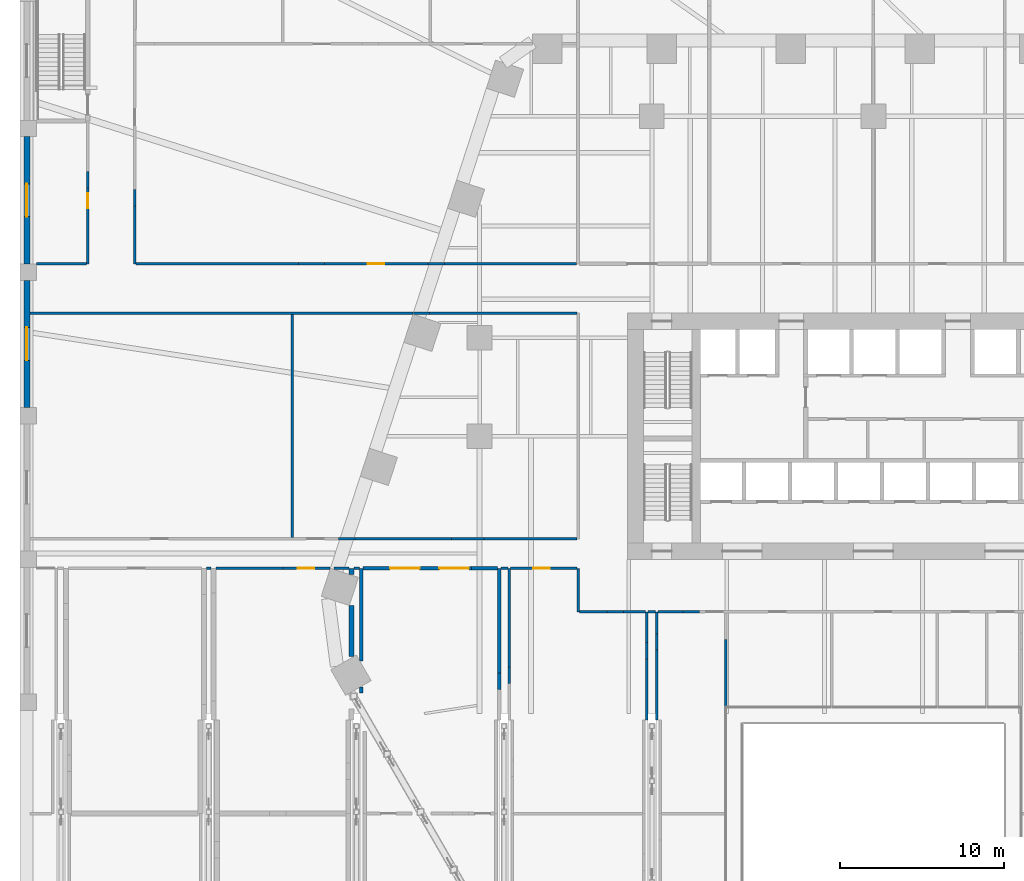
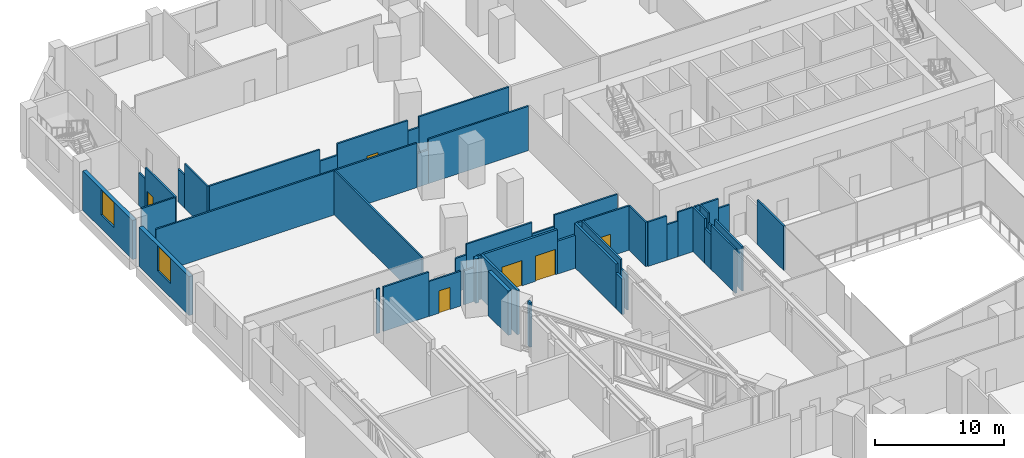
# One storey, part 16 of 32: 51 walls, 6 doors, 2 windows, 8 openings.
"""IFC4 building model written with IfcOpenShell, lengths in metres."""

from ifc_helpers import new_model, si_unit, direction, frame, frame_2d, origin, place, context, subcontext, project, spatial, rectangle, extrude, material, layer, layer_set, type_object, element, fill, save


model = new_model("IFC4")

# Units and contexts
model_context = context("Model", 3, precision=1e-05, world=origin(), true_north=direction((0.0, 1.0)))
body_context = subcontext(model_context, "Body", "Model", "MODEL_VIEW")
ifc_project = project(units=[si_unit("LENGTHUNIT", "METRE"), si_unit("AREAUNIT", "SQUARE_METRE"), si_unit("VOLUMEUNIT", "CUBIC_METRE"), si_unit("PLANEANGLEUNIT", "RADIAN"), si_unit("MASSUNIT", "GRAM", prefix="KILO")], contexts=[model_context])

# Site, building, storey
site_placement = place(None, origin())
site = spatial("IfcSite", under=ifc_project, at=site_placement, CompositionType="ELEMENT")
building_placement = place(site_placement, origin())
building = spatial("IfcBuilding", under=site, at=building_placement, Name="Isthmus Gate Tower", CompositionType="ELEMENT")
storey_placement = place(building_placement, frame((0.0, 0.0, 18.0)))
storey = spatial("IfcBuildingStorey", under=building, at=storey_placement, Name="L02", CompositionType="ELEMENT", Elevation=18.0)

# Walls
ifc_material_1 = material(Name="Double-leaf gypsum board with mineral wool, resilient mounted")
ifc_layer_1 = layer(ifc_material_1, 0.300048828125)
ifc_layer_set_1 = layer_set([ifc_layer_1], Name="Acoustic studio wall 300 double leaf")
wall_type_1 = type_object("IfcWallType", Name="Acoustic studio wall 300 double leaf", PredefinedType="PARTITIONING", material=ifc_layer_set_1)
wall_1_placement = place(storey_placement, frame((-31.800048828125, -5.915771484375, 0.0), z_axis=(0.0, 0.0, 1.0), x_axis=(0.0, 1.0, 0.0)))
element("IfcWall", 1, at=wall_1_placement, inside=storey, type_object=wall_type_1, Name="Acoustic studio wall", PredefinedType="PARTITIONING", context=body_context, shape_type="SweptSolid", body=[
    extrude(rectangle(XDim=3.0986328125, YDim=0.300048828125, at=frame_2d((1.54931640625, 0.0))), origin(), (0.0, 0.0, 1.0), 4.199951171875),
])
wall_2_placement = place(storey_placement, frame((-31.800048828125, -0.919189453125, 0.0), z_axis=(0.0, 0.0, 1.0), x_axis=(0.0, 1.0, 0.0)))
element("IfcWall", 2, at=wall_2_placement, inside=storey, type_object=wall_type_1, Name="Acoustic studio wall", PredefinedType="PARTITIONING", context=body_context, shape_type="SweptSolid", body=[
    extrude(rectangle(XDim=0.369384765625, YDim=0.300048828125, at=frame_2d((0.1845703125, 0.0))), origin(), (0.0, 0.0, 1.0), 4.199951171875),
])

# Wall, openings, doors
ifc_material_2 = material(Name="Concrete f'c 30 MPa", Category="concrete")
ifc_layer_2 = layer(ifc_material_2, 0.199951171875)
ifc_layer_set_2 = layer_set([ifc_layer_2], Name="Fire-rated block wall 200")
wall_type_2 = type_object("IfcWallType", Name="Fire-rated block wall 200", PredefinedType="PARTITIONING", material=ifc_layer_set_2)
wall_3_placement = place(storey_placement, frame((-31.10009765625, -0.549072265625, 0.0), z_axis=(0.0, 0.0, 1.0), x_axis=(1.0, 0.0, 0.0)))
wall_3 = element("IfcWall", 3, at=wall_3_placement, inside=storey, type_object=wall_type_2, Name="Fire-rated wall", PredefinedType="PARTITIONING", context=body_context, shape_type="SweptSolid", body=[
    extrude(rectangle(XDim=6.60009765625, YDim=0.199951171875, at=frame_2d((3.300048828125, 0.0))), origin(), (0.0, 0.0, 1.0), 4.199951171875),
])
opening_1_placement = place(wall_3_placement, frame((1.64990234375, 0.0, 0.0)))
opening_1 = element("IfcOpeningElement", 4, at=opening_1_placement, cuts=wall_3, Name="Opening DP02-15", PredefinedType="OPENING", context=body_context, shape_type="SweptSolid", body=[
    extrude(rectangle(XDim=1.800048828125, YDim=2.39990234375, at=frame_2d((0.89990234375, 1.199951171875))), frame((0.0, 0.10986328125, 0.0), z_axis=(0.0, -1.0, 0.0), x_axis=(1.0, 0.0, 0.0)), (0.0, 0.0, 1.0), 0.219970703125),
])
opening_2_placement = place(wall_3_placement, frame((4.64990234375, 0.0, 0.0)))
opening_2 = element("IfcOpeningElement", 5, at=opening_2_placement, cuts=wall_3, Name="Opening DP02-16", PredefinedType="OPENING", context=body_context, shape_type="SweptSolid", body=[
    extrude(rectangle(XDim=1.800048828125, YDim=2.39990234375, at=frame_2d((0.89990234375, 1.199951171875))), frame((0.0, 0.10986328125, 0.0), z_axis=(0.0, -1.0, 0.0), x_axis=(1.0, 0.0, 0.0)), (0.0, 0.0, 1.0), 0.219970703125),
])
ifc_material_3 = material(Name="Steel fire doors with intumescent seals", Category="steel")
door_type_1 = type_object("IfcDoorType", Name="Double fire door 1800 x 2400", OperationType="DOUBLE_DOOR_SINGLE_SWING", PredefinedType="DOOR", material=ifc_material_3)
door_1_placement = place(opening_1_placement, origin())
door_1 = element("IfcDoor", 6, at=door_1_placement, inside=storey, type_object=door_type_1, Name="Door DP02-15", OperationType="SINGLE_SWING_LEFT", OverallHeight=2.39990234375, OverallWidth=1.800048828125, PredefinedType="DOOR", context=body_context, shape_type="SweptSolid", body=[
    extrude(rectangle(XDim=1.800048828125, YDim=2.39990234375, at=frame_2d((0.89990234375, 1.199951171875))), frame((0.0, 0.02490234375, 0.0), z_axis=(0.0, -1.0, 0.0), x_axis=(1.0, 0.0, 0.0)), (0.0, 0.0, 1.0), 0.050048828125),
])
fill(opening_1, door_1)
door_2_placement = place(opening_2_placement, origin())
door_2 = element("IfcDoor", 7, at=door_2_placement, inside=storey, type_object=door_type_1, Name="Door DP02-16", OperationType="SINGLE_SWING_LEFT", OverallHeight=2.39990234375, OverallWidth=1.800048828125, PredefinedType="DOOR", context=body_context, shape_type="SweptSolid", body=[
    extrude(rectangle(XDim=1.800048828125, YDim=2.39990234375, at=frame_2d((0.89990234375, 1.199951171875))), frame((0.0, 0.02490234375, 0.0), z_axis=(0.0, -1.0, 0.0), x_axis=(1.0, 0.0, 0.0)), (0.0, 0.0, 1.0), 0.050048828125),
])
fill(opening_2, door_2)

# Walls
wall_4_placement = place(storey_placement, frame((-24.5, -0.549072265625, 0.0), z_axis=(0.0, 0.0, 1.0), x_axis=(1.0, 0.0, 0.0)))
element("IfcWall", 8, at=wall_4_placement, inside=storey, type_object=wall_type_2, Name="Fire-rated wall", PredefinedType="PARTITIONING", context=body_context, shape_type="SweptSolid", body=[
    extrude(rectangle(XDim=1.60009765625, YDim=0.199951171875, at=frame_2d((0.800048828125, 0.0))), origin(), (0.0, 0.0, 1.0), 3.111083984375),
])
wall_5_placement = place(storey_placement, frame((-31.199951171875, -8.159912109375, 0.0), z_axis=(0.0, 0.0, 1.0), x_axis=(0.0, 1.0, 0.0)))
element("IfcWall", 9, at=wall_5_placement, inside=storey, type_object=wall_type_2, Name="Fire-rated wall", PredefinedType="PARTITIONING", context=body_context, shape_type="SweptSolid", body=[
    extrude(rectangle(XDim=0.367919921875, YDim=0.199951171875, at=frame_2d((0.18408203125, 0.0))), origin(), (0.0, 0.0, 1.0), 4.199951171875),
])
wall_6_placement = place(storey_placement, frame((-31.199951171875, -6.186767578125, 0.0), z_axis=(0.0, 0.0, 1.0), x_axis=(0.0, 1.0, 0.0)))
element("IfcWall", 10, at=wall_6_placement, inside=storey, type_object=wall_type_2, Name="Fire-rated wall", PredefinedType="PARTITIONING", context=body_context, shape_type="SweptSolid", body=[
    extrude(rectangle(XDim=5.636962890625, YDim=0.199951171875, at=frame_2d((2.818359375, 0.0))), origin(), (0.0, 0.0, 1.0), 4.199951171875),
])
wall_7_placement = place(storey_placement, frame((-22.800048828125, -7.92529296875, 0.0), z_axis=(0.0, 0.0, 1.0), x_axis=(0.0, 1.0, 0.0)))
element("IfcWall", 11, at=wall_7_placement, inside=storey, type_object=wall_type_2, Name="Fire-rated wall", PredefinedType="PARTITIONING", context=body_context, shape_type="SweptSolid", body=[
    extrude(rectangle(XDim=1.0, YDim=0.199951171875, at=frame_2d((0.5, 0.0))), origin(), (0.0, 0.0, 1.0), 3.364990234375),
])
wall_8_placement = place(storey_placement, frame((-22.800048828125, -6.92529296875, 0.0), z_axis=(0.0, 0.0, 1.0), x_axis=(0.0, 1.0, 0.0)))
element("IfcWall", 12, at=wall_8_placement, inside=storey, type_object=wall_type_2, Name="Fire-rated wall", PredefinedType="PARTITIONING", context=body_context, shape_type="SweptSolid", body=[
    extrude(rectangle(XDim=6.37548828125, YDim=0.199951171875, at=frame_2d((3.187744140625, 0.0))), origin(), (0.0, 0.0, 1.0), 4.199951171875),
])

# Wall, opening, door
ifc_material_4 = material(Name="Fire-rated gypsum board on steel studs", Category="steel")
ifc_layer_3 = layer(ifc_material_4, 0.14990234375)
ifc_layer_set_3 = layer_set([ifc_layer_3], Name="Fire-rated partition 150 EI 60")
wall_type_3 = type_object("IfcWallType", Name="Fire-rated partition 150 EI 60", PredefinedType="PARTITIONING", material=ifc_layer_set_3)
wall_9_placement = place(storey_placement, frame((-47.875, 18.0, 0.0), z_axis=(0.0, 0.0, 1.0), x_axis=(0.0, 1.0, 0.0)))
wall_9 = element("IfcWall", 13, at=wall_9_placement, inside=storey, type_object=wall_type_3, Name="Fire-rated partition", PredefinedType="PARTITIONING", context=body_context, shape_type="SweptSolid", body=[
    extrude(rectangle(XDim=4.6162109375, YDim=0.14990234375, at=frame_2d((2.30810546875, 0.0))), origin(), (0.0, 0.0, 1.0), 4.199951171875),
])
opening_3_placement = place(wall_9_placement, frame((3.39990234375, 0.0, 0.0)))
opening_3 = element("IfcOpeningElement", 14, at=opening_3_placement, cuts=wall_9, Name="Opening DP02-02", PredefinedType="OPENING", context=body_context, shape_type="SweptSolid", body=[
    extrude(rectangle(XDim=0.89990234375, YDim=2.10009765625, at=frame_2d((0.449951171875, 1.050048828125))), frame((0.0, 0.0849609375, 0.0), z_axis=(0.0, -1.0, 0.0), x_axis=(1.0, 0.0, 0.0)), (0.0, 0.0, 1.0), 0.169921875),
])
ifc_material_5 = material(Name="Steel fire door with intumescent seals", Category="steel")
door_type_2 = type_object("IfcDoorType", Name="Fire door 900 x 2100", OperationType="SINGLE_SWING_LEFT", PredefinedType="DOOR", material=ifc_material_5)
door_3_placement = place(opening_3_placement, origin())
door_3 = element("IfcDoor", 15, at=door_3_placement, inside=storey, type_object=door_type_2, Name="Door DP02-02", OperationType="SINGLE_SWING_LEFT", OverallHeight=2.10009765625, OverallWidth=0.89990234375, PredefinedType="DOOR", context=body_context, shape_type="SweptSolid", body=[
    extrude(rectangle(XDim=0.89990234375, YDim=2.10009765625, at=frame_2d((0.449951171875, 1.050048828125))), frame((0.0, 0.02490234375, 0.0), z_axis=(0.0, -1.0, 0.0), x_axis=(1.0, 0.0, 0.0)), (0.0, 0.0, 1.0), 0.050048828125),
])
fill(opening_3, door_3)

# Walls
wall_10_placement = place(storey_placement, frame((-47.875, 22.6162109375, 0.0), z_axis=(0.0, 0.0, 1.0), x_axis=(0.0, 1.0, 0.0)))
element("IfcWall", 16, at=wall_10_placement, inside=storey, type_object=wall_type_3, Name="Fire-rated partition", PredefinedType="PARTITIONING", context=body_context, shape_type="SweptSolid", body=[
    extrude(rectangle(XDim=1.0, YDim=0.14990234375, at=frame_2d((0.5, 0.0))), origin(), (0.0, 0.0, 1.0), 3.111083984375),
])
wall_11_placement = place(storey_placement, frame((-45.0, 18.0, 0.0), z_axis=(0.0, 0.0, 1.0), x_axis=(0.0, 1.0, 0.0)))
element("IfcWall", 17, at=wall_11_placement, inside=storey, type_object=wall_type_3, Name="Fire-rated partition", PredefinedType="PARTITIONING", context=body_context, shape_type="SweptSolid", body=[
    extrude(rectangle(XDim=3.537353515625, YDim=0.14990234375, at=frame_2d((1.7685546875, 0.0))), origin(), (0.0, 0.0, 1.0), 4.199951171875),
])
wall_12_placement = place(storey_placement, frame((-45.0, 21.537353515625, 0.0), z_axis=(0.0, 0.0, 1.0), x_axis=(0.0, 1.0, 0.0)))
element("IfcWall", 18, at=wall_12_placement, inside=storey, type_object=wall_type_3, Name="Fire-rated partition", PredefinedType="PARTITIONING", context=body_context, shape_type="SweptSolid", body=[
    extrude(rectangle(XDim=1.0, YDim=0.14990234375, at=frame_2d((0.5, 0.0))), origin(), (0.0, 0.0, 1.0), 3.111083984375),
])

# Wall, opening, window
ifc_material_6 = material(Name="Precast concrete C40/50, limestone-faced", Category="masonry")
ifc_layer_4 = layer(ifc_material_6, 0.35009765625)
ifc_layer_set_4 = layer_set([ifc_layer_4], Name="PODIUM CLADDING WALL 350")
wall_type_4 = type_object("IfcWallType", Name="PODIUM CLADDING WALL 350", PredefinedType="SOLIDWALL", material=ifc_layer_set_4)
wall_13_placement = place(storey_placement, frame((-51.574951171875, 25.75, -0.39990234375), z_axis=(0.0, 0.0, 1.0), x_axis=(0.0, -1.0, 0.0)))
wall_13 = element("IfcWall", 19, at=wall_13_placement, inside=storey, type_object=wall_type_4, Name="PODIUM WALL", PredefinedType="SOLIDWALL", context=body_context, shape_type="SweptSolid", body=[
    extrude(rectangle(XDim=7.75, YDim=0.35009765625, at=frame_2d((3.875, 0.0))), origin(), (0.0, 0.0, 1.0), 3.699951171875),
])
opening_4_placement = place(wall_13_placement, frame((2.875, 0.0, 1.300048828125)))
opening_4 = element("IfcOpeningElement", 20, at=opening_4_placement, cuts=wall_13, Name="Opening W028", PredefinedType="OPENING", context=body_context, shape_type="SweptSolid", body=[
    extrude(rectangle(XDim=2.0, YDim=2.35009765625, at=frame_2d((1.0, 1.175048828125))), frame((0.0, 0.18505859375, 0.0), z_axis=(0.0, -1.0, 0.0), x_axis=(1.0, 0.0, 0.0)), (0.0, 0.0, 1.0), 0.3701171875),
])
ifc_material_7 = material(Name="Aluminium, pale champagne anodised, laminated glass", Category="aluminium")
window_type = type_object("IfcWindowType", Name="PODIUM SLOT WINDOW 2000 X 2350", PartitioningType="SINGLE_PANEL", PredefinedType="WINDOW", material=ifc_material_7)
window_1_placement = place(opening_4_placement, origin())
window_1 = element("IfcWindow", 21, at=window_1_placement, inside=storey, type_object=window_type, Name="SLOT WINDOW", OverallHeight=2.35009765625, OverallWidth=2.0, PartitioningType="SINGLE_PANEL", PredefinedType="WINDOW", context=body_context, shape_type="SweptSolid", body=[
    extrude(rectangle(XDim=2.0, YDim=2.35009765625, at=frame_2d((1.0, 1.175048828125))), frame((0.0, 0.030029296875, 0.0), z_axis=(0.0, -1.0, 0.0), x_axis=(1.0, 0.0, 0.0)), (0.0, 0.0, 1.0), 0.06005859375),
])
fill(opening_4, window_1)

wall_14_placement = place(storey_placement, frame((-51.574951171875, 17.0, -0.39990234375), z_axis=(0.0, 0.0, 1.0), x_axis=(0.0, -1.0, 0.0)))
wall_14 = element("IfcWall", 22, at=wall_14_placement, inside=storey, type_object=wall_type_4, Name="PODIUM WALL", PredefinedType="SOLIDWALL", context=body_context, shape_type="SweptSolid", body=[
    extrude(rectangle(XDim=7.75, YDim=0.35009765625, at=frame_2d((3.875, 0.0))), origin(), (0.0, 0.0, 1.0), 3.699951171875),
])
opening_5_placement = place(wall_14_placement, frame((2.875, 0.0, 1.300048828125)))
opening_5 = element("IfcOpeningElement", 23, at=opening_5_placement, cuts=wall_14, Name="Opening W029", PredefinedType="OPENING", context=body_context, shape_type="SweptSolid", body=[
    extrude(rectangle(XDim=2.0, YDim=2.35009765625, at=frame_2d((1.0, 1.175048828125))), frame((0.0, 0.18505859375, 0.0), z_axis=(0.0, -1.0, 0.0), x_axis=(1.0, 0.0, 0.0)), (0.0, 0.0, 1.0), 0.3701171875),
])
window_2_placement = place(opening_5_placement, origin())
window_2 = element("IfcWindow", 24, at=window_2_placement, inside=storey, type_object=window_type, Name="SLOT WINDOW", OverallHeight=2.35009765625, OverallWidth=2.0, PartitioningType="SINGLE_PANEL", PredefinedType="WINDOW", context=body_context, shape_type="SweptSolid", body=[
    extrude(rectangle(XDim=2.0, YDim=2.35009765625, at=frame_2d((1.0, 1.175048828125))), frame((0.0, 0.030029296875, 0.0), z_axis=(0.0, -1.0, 0.0), x_axis=(1.0, 0.0, 0.0)), (0.0, 0.0, 1.0), 0.06005859375),
])
fill(opening_5, window_2)

# Walls
ifc_material_8 = material(Name="Gypsum board on cold-formed steel studs", Category="steel")
ifc_layer_5 = layer(ifc_material_8, 0.14990234375)
ifc_layer_set_5 = layer_set([ifc_layer_5])
wall_type_5 = type_object("IfcWallType", Name="Partition 150 gypsum board on steel studs", PredefinedType="PARTITIONING", material=ifc_layer_set_5)
wall_15_placement = place(storey_placement, frame((-17.925048828125, -3.199951171875, 0.0), z_axis=(0.0, 0.0, 1.0), x_axis=(1.0, 0.0, 0.0)))
element("IfcWall", 25, at=wall_15_placement, inside=storey, type_object=wall_type_5, Name="Partition", PredefinedType="PARTITIONING", context=body_context, shape_type="SweptSolid", body=[
    extrude(rectangle(XDim=1.697265625, YDim=0.14990234375, at=frame_2d((0.8486328125, 0.0))), origin(), (0.0, 0.0, 1.0), 4.199951171875),
])
wall_16_placement = place(storey_placement, frame((-16.227783203125, -3.199951171875, 0.0), z_axis=(0.0, 0.0, 1.0), x_axis=(1.0, 0.0, 0.0)))
element("IfcWall", 26, at=wall_16_placement, inside=storey, type_object=wall_type_5, Name="Partition", PredefinedType="PARTITIONING", context=body_context, shape_type="SweptSolid", body=[
    extrude(rectangle(XDim=1.0, YDim=0.14990234375, at=frame_2d((0.5, 0.0))), origin(), (0.0, 0.0, 1.0), 3.364990234375),
])
wall_17_placement = place(storey_placement, frame((-15.227783203125, -3.199951171875, 0.0), z_axis=(0.0, 0.0, 1.0), x_axis=(1.0, 0.0, 0.0)))
element("IfcWall", 27, at=wall_17_placement, inside=storey, type_object=wall_type_5, Name="Partition", PredefinedType="PARTITIONING", context=body_context, shape_type="SweptSolid", body=[
    extrude(rectangle(XDim=1.352783203125, YDim=0.14990234375, at=frame_2d((0.67626953125, 0.0))), origin(), (0.0, 0.0, 1.0), 4.199951171875),
])
wall_18_placement = place(storey_placement, frame((-13.72509765625, -3.199951171875, 0.0), z_axis=(0.0, 0.0, 1.0), x_axis=(1.0, 0.0, 0.0)))
element("IfcWall", 28, at=wall_18_placement, inside=storey, type_object=wall_type_5, Name="Partition", PredefinedType="PARTITIONING", context=body_context, shape_type="SweptSolid", body=[
    extrude(rectangle(XDim=0.4501953125, YDim=0.14990234375, at=frame_2d((0.22509765625, 0.0))), origin(), (0.0, 0.0, 1.0), 4.199951171875),
])
wall_19_placement = place(storey_placement, frame((-13.125, -3.199951171875, 0.0), z_axis=(0.0, 0.0, 1.0), x_axis=(1.0, 0.0, 0.0)))
element("IfcWall", 29, at=wall_19_placement, inside=storey, type_object=wall_type_5, Name="Partition", PredefinedType="PARTITIONING", context=body_context, shape_type="SweptSolid", body=[
    extrude(rectangle(XDim=1.528564453125, YDim=0.14990234375, at=frame_2d((0.76416015625, 0.0))), origin(), (0.0, 0.0, 1.0), 4.199951171875),
])
wall_20_placement = place(storey_placement, frame((-11.596435546875, -3.199951171875, 0.0), z_axis=(0.0, 0.0, 1.0), x_axis=(1.0, 0.0, 0.0)))
element("IfcWall", 30, at=wall_20_placement, inside=storey, type_object=wall_type_5, Name="Partition", PredefinedType="PARTITIONING", context=body_context, shape_type="SweptSolid", body=[
    extrude(rectangle(XDim=1.0, YDim=0.14990234375, at=frame_2d((0.5, 0.0))), origin(), (0.0, 0.0, 1.0), 3.29833984375),
])
wall_21_placement = place(storey_placement, frame((-40.64990234375, -0.549072265625, 0.0), z_axis=(0.0, 0.0, 1.0), x_axis=(1.0, 0.0, 0.0)))
element("IfcWall", 31, at=wall_21_placement, inside=storey, type_object=wall_type_5, Name="Partition", PredefinedType="PARTITIONING", context=body_context, shape_type="SweptSolid", body=[
    extrude(rectangle(XDim=0.2998046875, YDim=0.14990234375, at=frame_2d((0.14990234375, 0.0))), origin(), (0.0, 0.0, 1.0), 4.199951171875),
])
wall_22_placement = place(storey_placement, frame((-40.050048828125, -0.549072265625, 0.0), z_axis=(0.0, 0.0, 1.0), x_axis=(1.0, 0.0, 0.0)))
element("IfcWall", 32, at=wall_22_placement, inside=storey, type_object=wall_type_5, Name="Partition", PredefinedType="PARTITIONING", context=body_context, shape_type="SweptSolid", body=[
    extrude(rectangle(XDim=4.07373046875, YDim=0.14990234375, at=frame_2d((2.036865234375, 0.0))), origin(), (0.0, 0.0, 1.0), 4.199951171875),
])

# Wall, opening, door
wall_23_placement = place(storey_placement, frame((-35.976318359375, -0.549072265625, 0.0), z_axis=(0.0, 0.0, 1.0), x_axis=(1.0, 0.0, 0.0)))
wall_23 = element("IfcWall", 33, at=wall_23_placement, inside=storey, type_object=wall_type_5, Name="Partition", PredefinedType="PARTITIONING", context=body_context, shape_type="SweptSolid", body=[
    extrude(rectangle(XDim=2.862060546875, YDim=0.14990234375, at=frame_2d((1.43115234375, 0.0))), origin(), (0.0, 0.0, 1.0), 3.29833984375),
])
opening_6_placement = place(wall_23_placement, frame((0.89990234375, 0.0, 0.0)))
opening_6 = element("IfcOpeningElement", 34, at=opening_6_placement, cuts=wall_23, Name="Opening DP02-14", PredefinedType="OPENING", context=body_context, shape_type="SweptSolid", body=[
    extrude(rectangle(XDim=1.0, YDim=2.10009765625, at=frame_2d((0.5, 1.050048828125))), frame((0.0, 0.0849609375, 0.0), z_axis=(0.0, -1.0, 0.0), x_axis=(1.0, 0.0, 0.0)), (0.0, 0.0, 1.0), 0.169921875),
])
ifc_material_9 = material(Name="Hollow metal frame with solid-core timber leaf", Category="wood")
door_type_3 = type_object("IfcDoorType", Name="Single swing door 1000 x 2100", OperationType="SINGLE_SWING_LEFT", PredefinedType="DOOR", material=ifc_material_9)
door_4_placement = place(opening_6_placement, origin())
door_4 = element("IfcDoor", 35, at=door_4_placement, inside=storey, type_object=door_type_3, Name="Door DP02-14", OperationType="SINGLE_SWING_LEFT", OverallHeight=2.10009765625, OverallWidth=1.0, PredefinedType="DOOR", context=body_context, shape_type="SweptSolid", body=[
    extrude(rectangle(XDim=1.0, YDim=2.10009765625, at=frame_2d((0.5, 1.050048828125))), frame((0.0, 0.02490234375, 0.0), z_axis=(0.0, -1.0, 0.0), x_axis=(1.0, 0.0, 0.0)), (0.0, 0.0, 1.0), 0.050048828125),
])
fill(opening_6, door_4)

# Walls
wall_24_placement = place(storey_placement, frame((-32.85888671875, -0.549072265625, 0.0), z_axis=(0.0, 0.0, 1.0), x_axis=(1.0, 0.0, 0.0)))
element("IfcWall", 36, at=wall_24_placement, inside=storey, type_object=wall_type_5, Name="Partition", PredefinedType="PARTITIONING", context=body_context, shape_type="SweptSolid", body=[
    extrude(rectangle(XDim=0.908935546875, YDim=0.14990234375, at=frame_2d((0.45458984375, 0.0))), origin(), (0.0, 0.0, 1.0), 3.199951171875),
])
wall_25_placement = place(storey_placement, frame((-31.64990234375, -0.549072265625, 0.0), z_axis=(0.0, 0.0, 1.0), x_axis=(1.0, 0.0, 0.0)))
element("IfcWall", 37, at=wall_25_placement, inside=storey, type_object=wall_type_5, Name="Partition", PredefinedType="PARTITIONING", context=body_context, shape_type="SweptSolid", body=[
    extrude(rectangle(XDim=0.349853515625, YDim=0.14990234375, at=frame_2d((0.1748046875, 0.0))), origin(), (0.0, 0.0, 1.0), 4.199951171875),
])
wall_26_placement = place(storey_placement, frame((-22.699951171875, -0.549072265625, 0.0), z_axis=(0.0, 0.0, 1.0), x_axis=(1.0, 0.0, 0.0)))
element("IfcWall", 38, at=wall_26_placement, inside=storey, type_object=wall_type_5, Name="Partition", PredefinedType="PARTITIONING", context=body_context, shape_type="SweptSolid", body=[
    extrude(rectangle(XDim=0.425048828125, YDim=0.14990234375, at=frame_2d((0.21240234375, 0.0))), origin(), (0.0, 0.0, 1.0), 4.199951171875),
])

# Wall, opening, door
wall_27_placement = place(storey_placement, frame((-22.125, -0.549072265625, 0.0), z_axis=(0.0, 0.0, 1.0), x_axis=(1.0, 0.0, 0.0)))
wall_27 = element("IfcWall", 39, at=wall_27_placement, inside=storey, type_object=wall_type_5, Name="Partition", PredefinedType="PARTITIONING", context=body_context, shape_type="SweptSolid", body=[
    extrude(rectangle(XDim=4.050048828125, YDim=0.14990234375, at=frame_2d((2.02490234375, 0.0))), origin(), (0.0, 0.0, 1.0), 4.199951171875),
])
opening_7_placement = place(wall_27_placement, frame((1.39990234375, 0.0, 0.0)))
opening_7 = element("IfcOpeningElement", 40, at=opening_7_placement, cuts=wall_27, Name="Opening DP02-17", PredefinedType="OPENING", context=body_context, shape_type="SweptSolid", body=[
    extrude(rectangle(XDim=1.0, YDim=2.10009765625, at=frame_2d((0.5, 1.050048828125))), frame((0.0, 0.0849609375, 0.0), z_axis=(0.0, -1.0, 0.0), x_axis=(1.0, 0.0, 0.0)), (0.0, 0.0, 1.0), 0.169921875),
])
door_5_placement = place(opening_7_placement, origin())
door_5 = element("IfcDoor", 41, at=door_5_placement, inside=storey, type_object=door_type_3, Name="Door DP02-17", OperationType="SINGLE_SWING_LEFT", OverallHeight=2.10009765625, OverallWidth=1.0, PredefinedType="DOOR", context=body_context, shape_type="SweptSolid", body=[
    extrude(rectangle(XDim=1.0, YDim=2.10009765625, at=frame_2d((0.5, 1.050048828125))), frame((0.0, 0.02490234375, 0.0), z_axis=(0.0, -1.0, 0.0), x_axis=(1.0, 0.0, 0.0)), (0.0, 0.0, 1.0), 0.050048828125),
])
fill(opening_7, door_5)

# Walls
wall_28_placement = place(storey_placement, frame((-32.58447265625, 1.2509765625, 0.0), z_axis=(0.0, 0.0, 1.0), x_axis=(1.0, 0.0, 0.0)))
element("IfcWall", 42, at=wall_28_placement, inside=storey, type_object=wall_type_5, Name="Partition", PredefinedType="PARTITIONING", context=body_context, shape_type="SweptSolid", body=[
    extrude(rectangle(XDim=1.0, YDim=0.14990234375, at=frame_2d((0.5, 0.0))), origin(), (0.0, 0.0, 1.0), 3.199951171875),
])
wall_29_placement = place(storey_placement, frame((-31.58447265625, 1.2509765625, 0.0), z_axis=(0.0, 0.0, 1.0), x_axis=(1.0, 0.0, 0.0)))
element("IfcWall", 43, at=wall_29_placement, inside=storey, type_object=wall_type_5, Name="Partition", PredefinedType="PARTITIONING", context=body_context, shape_type="SweptSolid", body=[
    extrude(rectangle(XDim=5.882568359375, YDim=0.14990234375, at=frame_2d((2.94140625, 0.0))), origin(), (0.0, 0.0, 1.0), 4.199951171875),
])
wall_30_placement = place(storey_placement, frame((-25.701904296875, 1.2509765625, 0.0), z_axis=(0.0, 0.0, 1.0), x_axis=(1.0, 0.0, 0.0)))
element("IfcWall", 44, at=wall_30_placement, inside=storey, type_object=wall_type_5, Name="Partition", PredefinedType="PARTITIONING", context=body_context, shape_type="SweptSolid", body=[
    extrude(rectangle(XDim=1.976806640625, YDim=0.14990234375, at=frame_2d((0.98828125, 0.0))), origin(), (0.0, 0.0, 1.0), 3.111083984375),
])
wall_31_placement = place(storey_placement, frame((-23.72509765625, 1.2509765625, 0.0), z_axis=(0.0, 0.0, 1.0), x_axis=(1.0, 0.0, 0.0)))
element("IfcWall", 45, at=wall_31_placement, inside=storey, type_object=wall_type_5, Name="Partition", PredefinedType="PARTITIONING", context=body_context, shape_type="SweptSolid", body=[
    extrude(rectangle(XDim=5.650146484375, YDim=0.14990234375, at=frame_2d((2.8251953125, 0.0))), origin(), (0.0, 0.0, 1.0), 4.199951171875),
])
wall_32_placement = place(storey_placement, frame((-51.39990234375, 15.0, 0.0), z_axis=(0.0, 0.0, 1.0), x_axis=(1.0, 0.0, 0.0)))
element("IfcWall", 46, at=wall_32_placement, inside=storey, type_object=wall_type_5, Name="Partition", PredefinedType="PARTITIONING", context=body_context, shape_type="SweptSolid", body=[
    extrude(rectangle(XDim=23.337890625, YDim=0.14990234375, at=frame_2d((11.6689453125, 0.0))), origin(), (0.0, 0.0, 1.0), 4.199951171875),
])
wall_33_placement = place(storey_placement, frame((-28.034912109375, 15.0, 0.0), z_axis=(0.0, 0.0, 1.0), x_axis=(1.0, 0.0, 0.0)))
element("IfcWall", 47, at=wall_33_placement, inside=storey, type_object=wall_type_5, Name="Partition", PredefinedType="PARTITIONING", context=body_context, shape_type="SweptSolid", body=[
    extrude(rectangle(XDim=1.0, YDim=0.14990234375, at=frame_2d((0.5, 0.0))), origin(), (0.0, 0.0, 1.0), 3.199951171875),
])
wall_34_placement = place(storey_placement, frame((-27.034912109375, 15.0, 0.0), z_axis=(0.0, 0.0, 1.0), x_axis=(1.0, 0.0, 0.0)))
element("IfcWall", 48, at=wall_34_placement, inside=storey, type_object=wall_type_5, Name="Partition", PredefinedType="PARTITIONING", context=body_context, shape_type="SweptSolid", body=[
    extrude(rectangle(XDim=8.9599609375, YDim=0.14990234375, at=frame_2d((4.47998046875, 0.0))), origin(), (0.0, 0.0, 1.0), 4.199951171875),
])
wall_35_placement = place(storey_placement, frame((-51.0, 18.0, 0.0), z_axis=(0.0, 0.0, 1.0), x_axis=(1.0, 0.0, 0.0)))
element("IfcWall", 49, at=wall_35_placement, inside=storey, type_object=wall_type_5, Name="Partition", PredefinedType="PARTITIONING", context=body_context, shape_type="SweptSolid", body=[
    extrude(rectangle(XDim=3.050048828125, YDim=0.14990234375, at=frame_2d((1.52490234375, 0.0))), origin(), (0.0, 0.0, 1.0), 4.199951171875),
])
wall_36_placement = place(storey_placement, frame((-44.925048828125, 18.0, 0.0), z_axis=(0.0, 0.0, 1.0), x_axis=(1.0, 0.0, 0.0)))
element("IfcWall", 50, at=wall_36_placement, inside=storey, type_object=wall_type_5, Name="Partition", PredefinedType="PARTITIONING", context=body_context, shape_type="SweptSolid", body=[
    extrude(rectangle(XDim=9.89990234375, YDim=0.14990234375, at=frame_2d((4.949951171875, 0.0))), origin(), (0.0, 0.0, 1.0), 4.199951171875),
])
wall_37_placement = place(storey_placement, frame((-35.025146484375, 18.0, 0.0), z_axis=(0.0, 0.0, 1.0), x_axis=(1.0, 0.0, 0.0)))
element("IfcWall", 51, at=wall_37_placement, inside=storey, type_object=wall_type_5, Name="Partition", PredefinedType="PARTITIONING", context=body_context, shape_type="SweptSolid", body=[
    extrude(rectangle(XDim=1.565185546875, YDim=0.14990234375, at=frame_2d((0.78271484375, 0.0))), origin(), (0.0, 0.0, 1.0), 3.111083984375),
])

# Wall, opening, door
wall_38_placement = place(storey_placement, frame((-33.4599609375, 18.0, 0.0), z_axis=(0.0, 0.0, 1.0), x_axis=(1.0, 0.0, 0.0)))
wall_38 = element("IfcWall", 52, at=wall_38_placement, inside=storey, type_object=wall_type_5, Name="Partition", PredefinedType="PARTITIONING", context=body_context, shape_type="SweptSolid", body=[
    extrude(rectangle(XDim=6.317626953125, YDim=0.14990234375, at=frame_2d((3.15869140625, 0.0))), origin(), (0.0, 0.0, 1.0), 4.199951171875),
])
opening_8_placement = place(wall_38_placement, frame((2.64990234375, 0.0, 0.0)))
opening_8 = element("IfcOpeningElement", 53, at=opening_8_placement, cuts=wall_38, Name="Opening DP02-40", PredefinedType="OPENING", context=body_context, shape_type="SweptSolid", body=[
    extrude(rectangle(XDim=1.0, YDim=2.10009765625, at=frame_2d((0.5, 1.050048828125))), frame((0.0, 0.0849609375, 0.0), z_axis=(0.0, -1.0, 0.0), x_axis=(1.0, 0.0, 0.0)), (0.0, 0.0, 1.0), 0.169921875),
])
door_6_placement = place(opening_8_placement, origin())
door_6 = element("IfcDoor", 54, at=door_6_placement, inside=storey, type_object=door_type_3, Name="Door DP02-40", OperationType="SINGLE_SWING_LEFT", OverallHeight=2.10009765625, OverallWidth=1.0, PredefinedType="DOOR", context=body_context, shape_type="SweptSolid", body=[
    extrude(rectangle(XDim=1.0, YDim=2.10009765625, at=frame_2d((0.5, 1.050048828125))), frame((0.0, 0.02490234375, 0.0), z_axis=(0.0, -1.0, 0.0), x_axis=(1.0, 0.0, 0.0)), (0.0, 0.0, 1.0), 0.050048828125),
])
fill(opening_8, door_6)

# Walls
wall_39_placement = place(storey_placement, frame((-27.142333984375, 18.0, 0.0), z_axis=(0.0, 0.0, 1.0), x_axis=(1.0, 0.0, 0.0)))
element("IfcWall", 55, at=wall_39_placement, inside=storey, type_object=wall_type_5, Name="Partition", PredefinedType="PARTITIONING", context=body_context, shape_type="SweptSolid", body=[
    extrude(rectangle(XDim=1.0, YDim=0.14990234375, at=frame_2d((0.5, 0.0))), origin(), (0.0, 0.0, 1.0), 3.199951171875),
])
wall_40_placement = place(storey_placement, frame((-26.142333984375, 18.0, 0.0), z_axis=(0.0, 0.0, 1.0), x_axis=(1.0, 0.0, 0.0)))
element("IfcWall", 56, at=wall_40_placement, inside=storey, type_object=wall_type_5, Name="Partition", PredefinedType="PARTITIONING", context=body_context, shape_type="SweptSolid", body=[
    extrude(rectangle(XDim=8.042236328125, YDim=0.14990234375, at=frame_2d((4.02099609375, 0.0))), origin(), (0.0, 0.0, 1.0), 4.199951171875),
])
wall_41_placement = place(storey_placement, frame((-35.39990234375, 1.325927734375, 0.0), z_axis=(0.0, 0.0, 1.0), x_axis=(0.0, 1.0, 0.0)))
element("IfcWall", 57, at=wall_41_placement, inside=storey, type_object=wall_type_5, Name="Partition", PredefinedType="PARTITIONING", context=body_context, shape_type="SweptSolid", body=[
    extrude(rectangle(XDim=13.59912109375, YDim=0.14990234375, at=frame_2d((6.799560546875, 0.0))), origin(), (0.0, 0.0, 1.0), 4.199951171875),
])
wall_42_placement = place(storey_placement, frame((-22.199951171875, -7.56689453125, 0.0), z_axis=(0.0, 0.0, 1.0), x_axis=(0.0, 1.0, 0.0)))
element("IfcWall", 58, at=wall_42_placement, inside=storey, type_object=wall_type_5, Name="Partition", PredefinedType="PARTITIONING", context=body_context, shape_type="SweptSolid", body=[
    extrude(rectangle(XDim=1.0, YDim=0.14990234375, at=frame_2d((0.5, 0.0))), origin(), (0.0, 0.0, 1.0), 3.364990234375),
])
wall_43_placement = place(storey_placement, frame((-22.199951171875, -6.56689453125, 0.0), z_axis=(0.0, 0.0, 1.0), x_axis=(0.0, 1.0, 0.0)))
element("IfcWall", 59, at=wall_43_placement, inside=storey, type_object=wall_type_5, Name="Partition", PredefinedType="PARTITIONING", context=body_context, shape_type="SweptSolid", body=[
    extrude(rectangle(XDim=6.01708984375, YDim=0.14990234375, at=frame_2d((3.008544921875, 0.0))), origin(), (0.0, 0.0, 1.0), 4.199951171875),
])
wall_44_placement = place(storey_placement, frame((-18.0, -3.199951171875, 0.0), z_axis=(0.0, 0.0, 1.0), x_axis=(0.0, 1.0, 0.0)))
element("IfcWall", 60, at=wall_44_placement, inside=storey, type_object=wall_type_5, Name="Partition", PredefinedType="PARTITIONING", context=body_context, shape_type="SweptSolid", body=[
    extrude(rectangle(XDim=2.651123046875, YDim=0.14990234375, at=frame_2d((1.32568359375, 0.0))), origin(), (0.0, 0.0, 1.0), 4.199951171875),
])
wall_45_placement = place(storey_placement, frame((-13.800048828125, -9.800048828125, 0.0), z_axis=(0.0, 0.0, 1.0), x_axis=(0.0, 1.0, 0.0)))
element("IfcWall", 61, at=wall_45_placement, inside=storey, type_object=wall_type_5, Name="Partition", PredefinedType="PARTITIONING", context=body_context, shape_type="SweptSolid", body=[
    extrude(rectangle(XDim=3.738037109375, YDim=0.14990234375, at=frame_2d((1.869140625, 0.0))), origin(), (0.0, 0.0, 1.0), 4.199951171875),
])
wall_46_placement = place(storey_placement, frame((-13.800048828125, -6.06201171875, 0.0), z_axis=(0.0, 0.0, 1.0), x_axis=(0.0, 1.0, 0.0)))
element("IfcWall", 62, at=wall_46_placement, inside=storey, type_object=wall_type_5, Name="Partition", PredefinedType="PARTITIONING", context=body_context, shape_type="SweptSolid", body=[
    extrude(rectangle(XDim=1.0, YDim=0.14990234375, at=frame_2d((0.5, 0.0))), origin(), (0.0, 0.0, 1.0), 3.29833984375),
])
wall_47_placement = place(storey_placement, frame((-13.800048828125, -5.06201171875, 0.0), z_axis=(0.0, 0.0, 1.0), x_axis=(0.0, 1.0, 0.0)))
element("IfcWall", 63, at=wall_47_placement, inside=storey, type_object=wall_type_5, Name="Partition", PredefinedType="PARTITIONING", context=body_context, shape_type="SweptSolid", body=[
    extrude(rectangle(XDim=1.861083984375, YDim=0.14990234375, at=frame_2d((0.9306640625, 0.0))), origin(), (0.0, 0.0, 1.0), 4.199951171875),
])
wall_48_placement = place(storey_placement, frame((-13.199951171875, -9.800048828125, 0.0), z_axis=(0.0, 0.0, 1.0), x_axis=(0.0, 1.0, 0.0)))
element("IfcWall", 64, at=wall_48_placement, inside=storey, type_object=wall_type_5, Name="Partition", PredefinedType="PARTITIONING", context=body_context, shape_type="SweptSolid", body=[
    extrude(rectangle(XDim=4.26220703125, YDim=0.14990234375, at=frame_2d((2.131103515625, 0.0))), origin(), (0.0, 0.0, 1.0), 4.199951171875),
])
wall_49_placement = place(storey_placement, frame((-13.199951171875, -5.537841796875, 0.0), z_axis=(0.0, 0.0, 1.0), x_axis=(0.0, 1.0, 0.0)))
element("IfcWall", 65, at=wall_49_placement, inside=storey, type_object=wall_type_5, Name="Partition", PredefinedType="PARTITIONING", context=body_context, shape_type="SweptSolid", body=[
    extrude(rectangle(XDim=1.0, YDim=0.14990234375, at=frame_2d((0.5, 0.0))), origin(), (0.0, 0.0, 1.0), 3.29833984375),
])
wall_50_placement = place(storey_placement, frame((-13.199951171875, -4.537841796875, 0.0), z_axis=(0.0, 0.0, 1.0), x_axis=(0.0, 1.0, 0.0)))
element("IfcWall", 66, at=wall_50_placement, inside=storey, type_object=wall_type_5, Name="Partition", PredefinedType="PARTITIONING", context=body_context, shape_type="SweptSolid", body=[
    extrude(rectangle(XDim=1.3369140625, YDim=0.14990234375, at=frame_2d((0.66845703125, 0.0))), origin(), (0.0, 0.0, 1.0), 4.199951171875),
])
wall_51_placement = place(storey_placement, frame((-9.0, -9.0, 0.0), z_axis=(0.0, 0.0, 1.0), x_axis=(0.0, 1.0, 0.0)))
element("IfcWall", 67, at=wall_51_placement, inside=storey, type_object=wall_type_5, Name="Partition", PredefinedType="PARTITIONING", context=body_context, shape_type="SweptSolid", body=[
    extrude(rectangle(XDim=4.118896484375, YDim=0.14990234375, at=frame_2d((2.0595703125, 0.0))), origin(), (0.0, 0.0, 1.0), 4.199951171875),
])

save(model, "model.ifc")
